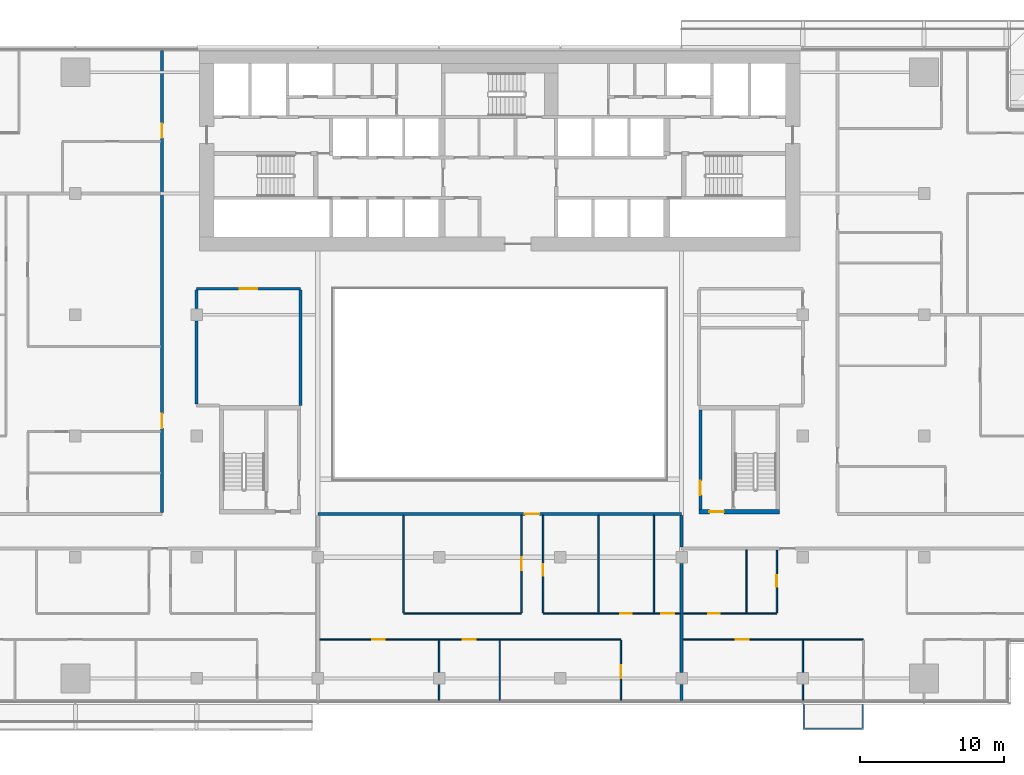
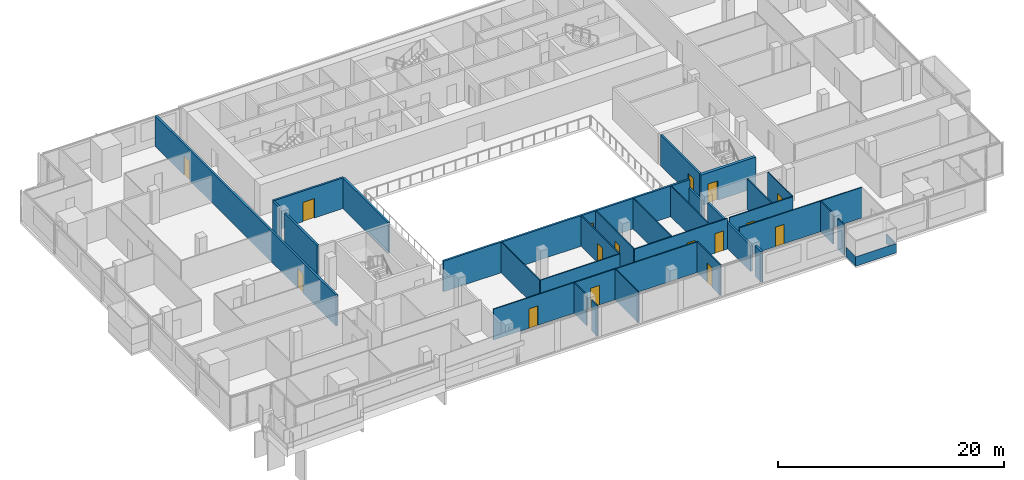
# One storey, part 18 of 29: 30 walls, 16 doors, 16 openings.
"""IFC4 building model written with IfcOpenShell, lengths in metres."""

import ifcopenshell
import ifcopenshell.guid

model = None  # the IFC model being written
_history = None  # IfcOwnerHistory: only IFC2X3 demands one
_inside = {}  # id of a spatial element -> (the spatial element, [elements in it])
_under = {}  # id of a project, library or spatial element -> (it, [spatial elements below it])
_declared = {}  # id of a project -> (the project, [libraries it declares])
_typed = {}  # id of a type object -> (the type object, [elements of that type])
_made_of = {}  # id of a material, layer set ... -> (it, [elements and type objects made of it])


def new_model(schema):
    """Start an empty IFC model of exactly this schema.

    Asked for "IFC4X3", IfcOpenShell would pick the latest addendum, in which some entities
    have other attributes; the version numbers below select the first issue.
    IFC2X3 requires an IfcOwnerHistory on every rooted entity: one is made here for all.
    """
    global model, _history
    if schema == "IFC4X3":
        model = ifcopenshell.file(schema_version=(4, 3, 0, 0))
    else:
        model = ifcopenshell.file(schema=schema)
    _inside.clear()
    _under.clear()
    _declared.clear()
    _typed.clear()
    _made_of.clear()
    _history = None
    if model.schema == "IFC2X3":
        org = make("IfcOrganization", Name="unknown")
        user = make(
            "IfcPersonAndOrganization",
            ThePerson=make("IfcPerson", FamilyName="unknown"),
            TheOrganization=org,
        )
        app = make(
            "IfcApplication",
            ApplicationDeveloper=org,
            Version="unknown",
            ApplicationFullName="unknown",
            ApplicationIdentifier="unknown",
        )
        _history = make(
            "IfcOwnerHistory",
            OwningUser=user,
            OwningApplication=app,
            ChangeAction="ADDED",
            CreationDate=0,
        )
    return model


def make(cls, **values):
    """One entity of the class cls with the attributes given. An attribute that is None is left unset."""
    return model.create_entity(
        cls, **{name: value for name, value in values.items() if value is not None}
    )


def rooted(cls, **values):
    """An entity with a GlobalId (a new one), such as an element, a storey or a relation."""
    return make(cls, GlobalId=ifcopenshell.guid.new(), OwnerHistory=_history, **values)


def si_unit(unit_type, name, prefix=None):
    """IfcSIUnit, for example si_unit("LENGTHUNIT", "METRE", prefix="MILLI")."""
    return make("IfcSIUnit", UnitType=unit_type, Prefix=prefix, Name=name)


def assignment(units):
    """IfcUnitAssignment: the units of a project."""
    return None if units is None else make("IfcUnitAssignment", Units=units)


def point(xyz):
    """IfcCartesianPoint."""
    return None if xyz is None else make("IfcCartesianPoint", Coordinates=xyz)


def direction(xyz):
    """IfcDirection."""
    return None if xyz is None else make("IfcDirection", DirectionRatios=xyz)


def frame(location, z_axis=None, x_axis=None):
    """IfcAxis2Placement3D, a coordinate frame: its origin and axes. An axis left out is left unset."""
    return make(
        "IfcAxis2Placement3D",
        Location=point(location),
        Axis=direction(z_axis),
        RefDirection=direction(x_axis),
    )


def frame_2d(location, x_axis=None):
    """IfcAxis2Placement2D, a coordinate frame in the plane: its origin and x axis."""
    return make(
        "IfcAxis2Placement2D", Location=point(location), RefDirection=direction(x_axis)
    )


def origin():
    """The frame at (0, 0, 0) with its axes left unset."""
    return frame((0.0, 0.0, 0.0))


def place(relative_to, where):
    """IfcLocalPlacement: puts the frame where relative to a parent placement (None: the world)."""
    return make(
        "IfcLocalPlacement", PlacementRelTo=relative_to, RelativePlacement=where
    )


def context(
    kind, dimensions, precision=None, world=None, true_north=None, identifier=None
):
    """IfcGeometricRepresentationContext, for example the 3D "Model" context."""
    return make(
        "IfcGeometricRepresentationContext",
        ContextIdentifier=identifier,
        ContextType=kind,
        CoordinateSpaceDimension=dimensions,
        Precision=precision,
        WorldCoordinateSystem=world,
        TrueNorth=true_north,
    )


def subcontext(parent, identifier, kind, view, scale=None):
    """IfcGeometricRepresentationSubContext, for example "Body" below "Model"."""
    return make(
        "IfcGeometricRepresentationSubContext",
        ContextIdentifier=identifier,
        ContextType=kind,
        ParentContext=parent,
        TargetScale=scale,
        TargetView=view,
    )


def project(units=None, contexts=None):
    """IfcProject with its units and contexts."""
    return rooted(
        "IfcProject",
        Name="project",
        RepresentationContexts=contexts,
        UnitsInContext=assignment(units),
    )


def spatial(cls, under=None, at=None, **own):
    """A site, building, storey or space (cls), placed at a placement, below another one or the project."""
    s = rooted(cls, ObjectPlacement=at, **own)
    if under is not None:
        _under.setdefault(under.id(), (under, []))[1].append(s)
    return s


def polyline(points):
    """IfcPolyline through the points."""
    return make("IfcPolyline", Points=[point(p) for p in points])


def profile(cls, at=None, kind="AREA", **sizes):
    """A parametric profile (cls). Its sizes go by their IFC names, for example OverallWidth=200.0."""
    return make(cls, ProfileType=kind, Position=at, **sizes)


def rectangle(**sizes):
    """IfcRectangleProfileDef."""
    return profile("IfcRectangleProfileDef", **sizes)


def outline(outer, holes=None, kind="AREA"):
    """IfcArbitraryClosedProfileDef: a profile drawn as a closed curve; with holes, ...WithVoids."""
    if holes is None:
        return make("IfcArbitraryClosedProfileDef", ProfileType=kind, OuterCurve=outer)
    return make(
        "IfcArbitraryProfileDefWithVoids",
        ProfileType=kind,
        OuterCurve=outer,
        InnerCurves=holes,
    )


def extrude(swept, where, along, depth):
    """IfcExtrudedAreaSolid: the profile swept, set in the frame where, extruded along a direction by depth."""
    return make(
        "IfcExtrudedAreaSolid",
        SweptArea=swept,
        Position=where,
        ExtrudedDirection=direction(along),
        Depth=depth,
    )


def shape(context_of_items, identifier, shape_type, items):
    """IfcShapeRepresentation: the items that make up one representation, for example the "Body"."""
    return make(
        "IfcShapeRepresentation",
        ContextOfItems=context_of_items,
        RepresentationIdentifier=identifier,
        RepresentationType=shape_type,
        Items=items,
    )


def material(Name=None, Category=None):
    """IfcMaterial."""
    return make("IfcMaterial", Name=Name, Category=Category)


def layer(
    of_material, thickness, ventilated=None, Name=None, Category=None, Priority=None
):
    """IfcMaterialLayer: one layer of a wall or slab, of a material (None: an air gap)."""
    return make(
        "IfcMaterialLayer",
        Material=of_material,
        LayerThickness=thickness,
        IsVentilated=ventilated,
        Name=Name,
        Category=Category,
        Priority=Priority,
    )


def layer_set(layers, Name=None):
    """IfcMaterialLayerSet."""
    return make("IfcMaterialLayerSet", MaterialLayers=layers, LayerSetName=Name)


def made_of(thing, what):
    """Note that an element or type object is made of a material, layer set ...; save() writes the relation."""
    if what is not None:
        _made_of.setdefault(what.id(), (what, []))[1].append(thing)
    return thing


def type_object(cls, material=None, **own):
    """A type object (cls), such as IfcWallType, which elements share."""
    return made_of(rooted(cls, **own), material)


def element(
    cls,
    number,
    at=None,
    inside=None,
    cuts=None,
    type_object=None,
    material=None,
    context=None,
    identifier="Body",
    shape_type=None,
    held_by="IfcProductDefinitionShape",
    body=None,
    shapes=None,
    **own,
):
    """One element of the class cls, such as IfcWall. Its Tag is "e" and its number.

    at: its placement. inside: the storey or other place that contains it. cuts: it is an
    opening in that element (IfcRelVoidsElement). A single representation is given by context,
    identifier, shape_type and body (its items); several are given by shapes. held_by: the class
    of the entity that holds the representations. save() writes the other relations.
    """
    e = rooted(cls, Tag="e%d" % number, ObjectPlacement=at, **own)
    if body is not None:
        shapes = [shape(context, identifier, shape_type, body)]
    if shapes is not None:
        e.Representation = make(held_by, Representations=shapes)
    if inside is not None:
        _inside.setdefault(inside.id(), (inside, []))[1].append(e)
    if cuts is not None:
        rooted(
            "IfcRelVoidsElement", RelatingBuildingElement=cuts, RelatedOpeningElement=e
        )
    if type_object is not None:
        _typed.setdefault(type_object.id(), (type_object, []))[1].append(e)
    return made_of(e, material)


def fill(opening, filler):
    """IfcRelFillsElement: the door or window that sits in an opening."""
    return rooted(
        "IfcRelFillsElement",
        RelatingOpeningElement=opening,
        RelatedBuildingElement=filler,
    )


def aggregate(whole, parts):
    """IfcRelAggregates: a whole, such as a stair, and the parts it consists of."""
    return rooted("IfcRelAggregates", RelatingObject=whole, RelatedObjects=parts)


def save(model, path):
    """Write the relations noted so far, then the file.

    IfcRelAggregates (storeys below a building ...), IfcRelContainedInSpatialStructure (elements
    in a storey), IfcRelDefinesByType, IfcRelAssociatesMaterial and IfcRelDeclares: one each for
    every whole, place, type object, material and project.
    """
    for whole, parts in _under.values():
        aggregate(whole, parts)
    for where, things in _inside.values():
        rooted(
            "IfcRelContainedInSpatialStructure",
            RelatedElements=things,
            RelatingStructure=where,
        )
    for kind, things in _typed.values():
        rooted("IfcRelDefinesByType", RelatedObjects=things, RelatingType=kind)
    for what, things in _made_of.values():
        rooted("IfcRelAssociatesMaterial", RelatedObjects=things, RelatingMaterial=what)
    for by, libraries in _declared.values():
        rooted("IfcRelDeclares", RelatingContext=by, RelatedDefinitions=libraries)
    model.write(path)


model = new_model("IFC4")

# Units and contexts
model_context = context("Model", 3, precision=1e-05, world=origin(), true_north=direction((0.0, 1.0)))
body_context = subcontext(model_context, "Body", "Model", "MODEL_VIEW")
ifc_project = project(units=[si_unit("LENGTHUNIT", "METRE"), si_unit("AREAUNIT", "SQUARE_METRE"), si_unit("VOLUMEUNIT", "CUBIC_METRE"), si_unit("PLANEANGLEUNIT", "RADIAN"), si_unit("MASSUNIT", "GRAM", prefix="KILO")], contexts=[model_context])

# Site, building, storey
site_placement = place(None, origin())
site = spatial("IfcSite", under=ifc_project, at=site_placement, CompositionType="ELEMENT")
building_placement = place(site_placement, origin())
building = spatial("IfcBuilding", under=site, at=building_placement, Name="Saffron Gate Tower", CompositionType="ELEMENT")
storey_placement = place(building_placement, frame((0.0, 0.0, 116.85009765625)))
storey = spatial("IfcBuildingStorey", under=building, at=storey_placement, Name="L27", CompositionType="ELEMENT", Elevation=116.85009765625)

# Wall, opening, door
ifc_material_1 = material(Name="Gypsum board partition on steel studs", Category="steel")
ifc_layer_1 = layer(ifc_material_1, 0.199951171875)
ifc_layer_set_1 = layer_set([ifc_layer_1], Name="CW10 Core partition 200")
wall_type_1 = type_object("IfcWallType", Name="CW10 Core partition 200", PredefinedType="PARTITIONING", material=ifc_layer_set_1)
wall_1_placement = place(storey_placement, frame((101.5, 43.5, 0.0), z_axis=(0.0, 0.0, 1.0), x_axis=(0.0, 1.0, 0.0)))
wall_1 = element("IfcWall", 1, at=wall_1_placement, inside=storey, type_object=wall_type_1, Name="Wall CW10-L27-E-2", PredefinedType="PARTITIONING", context=body_context, shape_type="SweptSolid", body=[
    extrude(rectangle(XDim=6.89990234375, YDim=0.199951171875, at=frame_2d((3.449951171875, 0.0))), origin(), (0.0, 0.0, 1.0), 3.31982421875),
])
opening_1_placement = place(wall_1_placement, frame((1.0, 0.0, 0.0)))
opening_1 = element("IfcOpeningElement", 2, at=opening_1_placement, cuts=wall_1, Name="Opening CR-22", PredefinedType="OPENING", context=body_context, shape_type="SweptSolid", body=[
    extrude(rectangle(XDim=1.0, YDim=2.10009765625, at=frame_2d((0.5, 1.050048828125))), frame((0.0, 0.10986328125, 0.0), z_axis=(0.0, -1.0, 0.0), x_axis=(1.0, 0.0, 0.0)), (0.0, 0.0, 1.0), 0.219970703125),
])
ifc_material_2 = material(Name="Steel fire door set", Category="steel")
door_type_1 = type_object("IfcDoorType", Name="CD4 Lobby door 1000x2100 EI 120", OperationType="NOTDEFINED", PredefinedType="DOOR", material=ifc_material_2)
door_1_placement = place(opening_1_placement, origin())
door_1 = element("IfcDoor", 3, at=door_1_placement, inside=storey, type_object=door_type_1, Name="DOOR CR-22", OperationType="SINGLE_SWING_LEFT", OverallHeight=2.10009765625, OverallWidth=1.0, PredefinedType="DOOR", context=body_context, shape_type="SweptSolid", body=[
    extrude(rectangle(XDim=1.0, YDim=2.10009765625, at=frame_2d((0.5, 1.050048828125))), frame((0.0, 0.02490234375, 0.0), z_axis=(0.0, -1.0, 0.0), x_axis=(1.0, 0.0, 0.0)), (0.0, 0.0, 1.0), 0.050048828125),
])
fill(opening_1, door_1)

ifc_material_3 = material(Name="Concrete C70", Category="concrete")
ifc_layer_2 = layer(ifc_material_3, 0.300048828125)
ifc_layer_set_2 = layer_set([ifc_layer_2], Name="CW5 RC core wall 300 C70")
wall_type_2 = type_object("IfcWallType", Name="CW5 RC core wall 300 C70", PredefinedType="SOLIDWALL", material=ifc_layer_set_2)
wall_2_placement = place(storey_placement, frame((101.39990234375, 43.35009765625, 0.0), z_axis=(0.0, 0.0, 1.0), x_axis=(1.0, 0.0, 0.0)))
wall_2 = element("IfcWall", 4, at=wall_2_placement, inside=storey, type_object=wall_type_2, Name="Wall CW5-L27-E-1", PredefinedType="SOLIDWALL", context=body_context, shape_type="SweptSolid", body=[
    extrude(rectangle(XDim=5.60009765625, YDim=0.300048828125, at=frame_2d((2.800048828125, 0.0))), origin(), (0.0, 0.0, 1.0), 3.31982421875),
])
opening_2_placement = place(wall_2_placement, frame((0.72509765625, 0.0, 0.0)))
opening_2 = element("IfcOpeningElement", 5, at=opening_2_placement, cuts=wall_2, Name="Opening CR-21", PredefinedType="OPENING", context=body_context, shape_type="SweptSolid", body=[
    extrude(rectangle(XDim=1.0, YDim=2.10009765625, at=frame_2d((0.5, 1.050048828125))), frame((0.0, 0.16015625, 0.0), z_axis=(0.0, -1.0, 0.0), x_axis=(1.0, 0.0, 0.0)), (0.0, 0.0, 1.0), 0.320068359375),
])
door_2_placement = place(opening_2_placement, origin())
door_2 = element("IfcDoor", 6, at=door_2_placement, inside=storey, type_object=door_type_1, Name="DOOR CR-21", OperationType="SINGLE_SWING_RIGHT", OverallHeight=2.10009765625, OverallWidth=1.0, PredefinedType="DOOR", context=body_context, shape_type="SweptSolid", body=[
    extrude(rectangle(XDim=1.0, YDim=2.10009765625, at=frame_2d((0.5, 1.050048828125))), frame((0.0, 0.02490234375, 0.0), z_axis=(0.0, -1.0, 0.0), x_axis=(1.0, 0.0, 0.0)), (0.0, 0.0, 1.0), 0.050048828125),
])
fill(opening_2, door_2)

# Wall, openings, doors
ifc_material_4 = material(Name="Plasterboard on steel studs", Category="steel")
ifc_layer_3 = layer(ifc_material_4, 0.10009765625)
ifc_layer_set_3 = layer_set([ifc_layer_3], Name="PW1 Partition 100")
wall_type_3 = type_object("IfcWallType", Name="PW1 Partition 100", PredefinedType="PARTITIONING", material=ifc_layer_set_3)
wall_3_placement = place(storey_placement, frame((96.0, 34.5, 0.0), z_axis=(0.0, 0.0, 1.0), x_axis=(-1.0, 0.0, 0.0)))
wall_3 = element("IfcWall", 7, at=wall_3_placement, inside=storey, type_object=wall_type_3, Name="Partition B3-2", PredefinedType="PARTITIONING", context=body_context, shape_type="SweptSolid", body=[
    extrude(rectangle(XDim=20.89990234375, YDim=0.10009765625, at=frame_2d((10.449951171875, 0.0))), origin(), (0.0, 0.0, 1.0), 3.31982421875),
])
opening_3_placement = place(wall_3_placement, frame((10.050048828125, 0.0, 0.0)))
opening_3 = element("IfcOpeningElement", 8, at=opening_3_placement, cuts=wall_3, Name="Opening B3-13", PredefinedType="OPENING", context=body_context, shape_type="SweptSolid", body=[
    extrude(rectangle(XDim=0.89990234375, YDim=2.10009765625, at=frame_2d((0.449951171875, 1.050048828125))), frame((0.0, 0.06005859375, 0.0), z_axis=(0.0, -1.0, 0.0), x_axis=(1.0, 0.0, 0.0)), (0.0, 0.0, 1.0), 0.1201171875),
])
opening_4_placement = place(wall_3_placement, frame((16.35009765625, 0.0, 0.0)))
opening_4 = element("IfcOpeningElement", 9, at=opening_4_placement, cuts=wall_3, Name="Opening B3-12", PredefinedType="OPENING", context=body_context, shape_type="SweptSolid", body=[
    extrude(rectangle(XDim=0.89990234375, YDim=2.10009765625, at=frame_2d((0.449951171875, 1.050048828125))), frame((0.0, 0.06005859375, 0.0), z_axis=(0.0, -1.0, 0.0), x_axis=(1.0, 0.0, 0.0)), (0.0, 0.0, 1.0), 0.1201171875),
])
ifc_material_5 = material(Name="Timber door set", Category="wood")
door_type_2 = type_object("IfcDoorType", Name="RD1 Room door 900x2100", OperationType="NOTDEFINED", PredefinedType="DOOR", material=ifc_material_5)
door_3_placement = place(opening_3_placement, origin())
door_3 = element("IfcDoor", 10, at=door_3_placement, inside=storey, type_object=door_type_2, Name="Door B3-13", OperationType="SINGLE_SWING_RIGHT", OverallHeight=2.10009765625, OverallWidth=0.89990234375, PredefinedType="DOOR", context=body_context, shape_type="SweptSolid", body=[
    extrude(rectangle(XDim=0.89990234375, YDim=2.10009765625, at=frame_2d((0.449951171875, 1.050048828125))), frame((0.0, 0.02490234375, 0.0), z_axis=(0.0, -1.0, 0.0), x_axis=(1.0, 0.0, 0.0)), (0.0, 0.0, 1.0), 0.050048828125),
])
fill(opening_3, door_3)
door_4_placement = place(opening_4_placement, origin())
door_4 = element("IfcDoor", 11, at=door_4_placement, inside=storey, type_object=door_type_2, Name="Door B3-12", OperationType="SINGLE_SWING_RIGHT", OverallHeight=2.10009765625, OverallWidth=0.89990234375, PredefinedType="DOOR", context=body_context, shape_type="SweptSolid", body=[
    extrude(rectangle(XDim=0.89990234375, YDim=2.10009765625, at=frame_2d((0.449951171875, 1.050048828125))), frame((0.0, 0.02490234375, 0.0), z_axis=(0.0, -1.0, 0.0), x_axis=(1.0, 0.0, 0.0)), (0.0, 0.0, 1.0), 0.050048828125),
])
fill(opening_4, door_4)

# Wall, opening, door
wall_4_placement = place(storey_placement, frame((112.800048828125, 34.5, 0.0), z_axis=(0.0, 0.0, 1.0), x_axis=(-1.0, 0.0, 0.0)))
wall_4 = element("IfcWall", 12, at=wall_4_placement, inside=storey, type_object=wall_type_3, Name="Partition B3-3", PredefinedType="PARTITIONING", context=body_context, shape_type="SweptSolid", body=[
    extrude(rectangle(XDim=12.5, YDim=0.10009765625, at=frame_2d((6.25, 0.0))), origin(), (0.0, 0.0, 1.0), 3.31982421875),
])
opening_5_placement = place(wall_4_placement, frame((7.949951171875, 0.0, 0.0)))
opening_5 = element("IfcOpeningElement", 13, at=opening_5_placement, cuts=wall_4, Name="Opening B3-17", PredefinedType="OPENING", context=body_context, shape_type="SweptSolid", body=[
    extrude(rectangle(XDim=0.89990234375, YDim=2.10009765625, at=frame_2d((0.449951171875, 1.050048828125))), frame((0.0, 0.06005859375, 0.0), z_axis=(0.0, -1.0, 0.0), x_axis=(1.0, 0.0, 0.0)), (0.0, 0.0, 1.0), 0.1201171875),
])
door_5_placement = place(opening_5_placement, origin())
door_5 = element("IfcDoor", 14, at=door_5_placement, inside=storey, type_object=door_type_2, Name="Door B3-17", OperationType="SINGLE_SWING_RIGHT", OverallHeight=2.10009765625, OverallWidth=0.89990234375, PredefinedType="DOOR", context=body_context, shape_type="SweptSolid", body=[
    extrude(rectangle(XDim=0.89990234375, YDim=2.10009765625, at=frame_2d((0.449951171875, 1.050048828125))), frame((0.0, 0.02490234375, 0.0), z_axis=(0.0, -1.0, 0.0), x_axis=(1.0, 0.0, 0.0)), (0.0, 0.0, 1.0), 0.050048828125),
])
fill(opening_5, door_5)

# Walls
wall_5_placement = place(storey_placement, frame((80.94189453125, 36.300048828125, 0.0), z_axis=(0.0, 0.0, 1.0), x_axis=(1.0, 0.0, 0.0)))
element("IfcWall", 15, at=wall_5_placement, inside=storey, type_object=wall_type_3, Name="Partition B3-7", PredefinedType="PARTITIONING", context=body_context, shape_type="SweptSolid", body=[
    extrude(rectangle(XDim=8.158203125, YDim=0.10009765625, at=frame_2d((4.0791015625, 0.0))), origin(), (0.0, 0.0, 1.0), 3.31982421875),
])
wall_6_placement = place(storey_placement, frame((80.94189453125, 43.10009765625, 0.0), z_axis=(0.0, 0.0, 1.0), x_axis=(0.0, -1.0, 0.0)))
element("IfcWall", 16, at=wall_6_placement, inside=storey, type_object=wall_type_3, Name="Partition B3-66", PredefinedType="PARTITIONING", context=body_context, shape_type="SweptSolid", body=[
    extrude(rectangle(XDim=6.75, YDim=0.10009765625, at=frame_2d((3.375, 0.0))), origin(), (0.0, 0.0, 1.0), 3.31982421875),
])
wall_7_placement = place(storey_placement, frame((83.39990234375, 31.3798828125, 0.0), z_axis=(0.0, 0.0, 1.0), x_axis=(0.0, -1.0, 0.0)))
element("IfcWall", 17, at=wall_7_placement, inside=storey, type_object=wall_type_3, Name="Partition B3-67", PredefinedType="PARTITIONING", context=body_context, shape_type="SweptSolid", body=[
    extrude(rectangle(XDim=1.099853515625, YDim=0.10009765625, at=frame_2d((0.5498046875, 0.0))), origin(), (0.0, 0.0, 1.0), 3.31982421875),
])
wall_8_placement = place(storey_placement, frame((83.39990234375, 34.449951171875, 0.0), z_axis=(0.0, 0.0, 1.0), x_axis=(0.0, -1.0, 0.0)))
element("IfcWall", 18, at=wall_8_placement, inside=storey, type_object=wall_type_3, Name="Partition B3-68", PredefinedType="PARTITIONING", context=body_context, shape_type="SweptSolid", body=[
    extrude(rectangle(XDim=2.22998046875, YDim=0.10009765625, at=frame_2d((1.114990234375, 0.0))), origin(), (0.0, 0.0, 1.0), 3.31982421875),
])
wall_9_placement = place(storey_placement, frame((87.60009765625, 34.449951171875, 0.0), z_axis=(0.0, 0.0, 1.0), x_axis=(0.0, -1.0, 0.0)))
element("IfcWall", 19, at=wall_9_placement, inside=storey, type_object=wall_type_3, Name="Partition B3-69", PredefinedType="PARTITIONING", context=body_context, shape_type="SweptSolid", body=[
    extrude(rectangle(XDim=4.169921875, YDim=0.10009765625, at=frame_2d((2.0849609375, 0.0))), origin(), (0.0, 0.0, 1.0), 3.31982421875),
])

# Wall, opening, door
wall_10_placement = place(storey_placement, frame((89.10009765625, 36.35009765625, 0.0), z_axis=(0.0, 0.0, 1.0), x_axis=(0.0, 1.0, 0.0)))
wall_10 = element("IfcWall", 20, at=wall_10_placement, inside=storey, type_object=wall_type_3, Name="Partition B3-70", PredefinedType="PARTITIONING", context=body_context, shape_type="SweptSolid", body=[
    extrude(rectangle(XDim=6.75, YDim=0.10009765625, at=frame_2d((3.375, 0.0))), origin(), (0.0, 0.0, 1.0), 3.31982421875),
])
opening_6_placement = place(wall_10_placement, frame((2.949951171875, 0.0, 0.0)))
opening_6 = element("IfcOpeningElement", 21, at=opening_6_placement, cuts=wall_10, Name="Opening B3-15", PredefinedType="OPENING", context=body_context, shape_type="SweptSolid", body=[
    extrude(rectangle(XDim=0.89990234375, YDim=2.10009765625, at=frame_2d((0.449951171875, 1.050048828125))), frame((0.0, 0.06005859375, 0.0), z_axis=(0.0, -1.0, 0.0), x_axis=(1.0, 0.0, 0.0)), (0.0, 0.0, 1.0), 0.1201171875),
])
door_6_placement = place(opening_6_placement, origin())
door_6 = element("IfcDoor", 22, at=door_6_placement, inside=storey, type_object=door_type_2, Name="Door B3-15", OperationType="SINGLE_SWING_RIGHT", OverallHeight=2.10009765625, OverallWidth=0.89990234375, PredefinedType="DOOR", context=body_context, shape_type="SweptSolid", body=[
    extrude(rectangle(XDim=0.89990234375, YDim=2.10009765625, at=frame_2d((0.449951171875, 1.050048828125))), frame((0.0, 0.02490234375, 0.0), z_axis=(0.0, -1.0, 0.0), x_axis=(1.0, 0.0, 0.0)), (0.0, 0.0, 1.0), 0.050048828125),
])
fill(opening_6, door_6)

wall_11_placement = place(storey_placement, frame((90.60009765625, 43.10009765625, 0.0), z_axis=(0.0, 0.0, 1.0), x_axis=(0.0, -1.0, 0.0)))
wall_11 = element("IfcWall", 23, at=wall_11_placement, inside=storey, type_object=wall_type_3, Name="Partition B3-71", PredefinedType="PARTITIONING", context=body_context, shape_type="SweptSolid", body=[
    extrude(rectangle(XDim=6.75, YDim=0.10009765625, at=frame_2d((3.375, 0.0))), origin(), (0.0, 0.0, 1.0), 3.31982421875),
])
opening_7_placement = place(wall_11_placement, frame((3.39990234375, 0.0, 0.0)))
opening_7 = element("IfcOpeningElement", 24, at=opening_7_placement, cuts=wall_11, Name="Opening B3-34", PredefinedType="OPENING", context=body_context, shape_type="SweptSolid", body=[
    extrude(rectangle(XDim=0.800048828125, YDim=2.10009765625, at=frame_2d((0.39990234375, 1.050048828125))), frame((0.0, 0.06005859375, 0.0), z_axis=(0.0, -1.0, 0.0), x_axis=(1.0, 0.0, 0.0)), (0.0, 0.0, 1.0), 0.1201171875),
])
door_type_3 = type_object("IfcDoorType", Name="RD2 Bathroom door 800x2100", OperationType="NOTDEFINED", PredefinedType="DOOR", material=ifc_material_5)
door_7_placement = place(opening_7_placement, origin())
door_7 = element("IfcDoor", 25, at=door_7_placement, inside=storey, type_object=door_type_3, Name="Door B3-34", OperationType="SINGLE_SWING_RIGHT", OverallHeight=2.10009765625, OverallWidth=0.800048828125, PredefinedType="DOOR", context=body_context, shape_type="SweptSolid", body=[
    extrude(rectangle(XDim=0.800048828125, YDim=2.10009765625, at=frame_2d((0.39990234375, 1.050048828125))), frame((0.0, 0.02490234375, 0.0), z_axis=(0.0, -1.0, 0.0), x_axis=(1.0, 0.0, 0.0)), (0.0, 0.0, 1.0), 0.050048828125),
])
fill(opening_7, door_7)

# Wall
wall_12_placement = place(storey_placement, frame((94.440673828125, 43.10009765625, 0.0), z_axis=(0.0, 0.0, 1.0), x_axis=(0.0, -1.0, 0.0)))
element("IfcWall", 26, at=wall_12_placement, inside=storey, type_object=wall_type_3, Name="Partition B3-72", PredefinedType="PARTITIONING", context=body_context, shape_type="SweptSolid", body=[
    extrude(rectangle(XDim=6.75, YDim=0.10009765625, at=frame_2d((3.375, 0.0))), origin(), (0.0, 0.0, 1.0), 3.31982421875),
])

# Wall, opening, door
wall_13_placement = place(storey_placement, frame((96.0, 30.280029296875, 0.0), z_axis=(0.0, 0.0, 1.0), x_axis=(0.0, 1.0, 0.0)))
wall_13 = element("IfcWall", 27, at=wall_13_placement, inside=storey, type_object=wall_type_3, Name="Partition B3-73", PredefinedType="PARTITIONING", context=body_context, shape_type="SweptSolid", body=[
    extrude(rectangle(XDim=4.169921875, YDim=0.10009765625, at=frame_2d((2.0849609375, 0.0))), origin(), (0.0, 0.0, 1.0), 3.31982421875),
])
opening_8_placement = place(wall_13_placement, frame((1.52001953125, 0.0, 0.0)))
opening_8 = element("IfcOpeningElement", 28, at=opening_8_placement, cuts=wall_13, Name="Opening B3-14", PredefinedType="OPENING", context=body_context, shape_type="SweptSolid", body=[
    extrude(rectangle(XDim=0.89990234375, YDim=2.10009765625, at=frame_2d((0.449951171875, 1.050048828125))), frame((0.0, 0.06005859375, 0.0), z_axis=(0.0, -1.0, 0.0), x_axis=(1.0, 0.0, 0.0)), (0.0, 0.0, 1.0), 0.1201171875),
])
door_8_placement = place(opening_8_placement, origin())
door_8 = element("IfcDoor", 29, at=door_8_placement, inside=storey, type_object=door_type_2, Name="Door B3-14", OperationType="SINGLE_SWING_LEFT", OverallHeight=2.10009765625, OverallWidth=0.89990234375, PredefinedType="DOOR", context=body_context, shape_type="SweptSolid", body=[
    extrude(rectangle(XDim=0.89990234375, YDim=2.10009765625, at=frame_2d((0.449951171875, 1.050048828125))), frame((0.0, 0.02490234375, 0.0), z_axis=(0.0, -1.0, 0.0), x_axis=(1.0, 0.0, 0.0)), (0.0, 0.0, 1.0), 0.050048828125),
])
fill(opening_8, door_8)

# Walls
wall_14_placement = place(storey_placement, frame((98.28125, 43.10009765625, 0.0), z_axis=(0.0, 0.0, 1.0), x_axis=(0.0, -1.0, 0.0)))
element("IfcWall", 30, at=wall_14_placement, inside=storey, type_object=wall_type_3, Name="Partition B3-74", PredefinedType="PARTITIONING", context=body_context, shape_type="SweptSolid", body=[
    extrude(rectangle(XDim=6.75, YDim=0.10009765625, at=frame_2d((3.375, 0.0))), origin(), (0.0, 0.0, 1.0), 3.31982421875),
])
wall_15_placement = place(storey_placement, frame((104.699951171875, 40.699951171875, 0.0), z_axis=(0.0, 0.0, 1.0), x_axis=(0.0, -1.0, 0.0)))
element("IfcWall", 31, at=wall_15_placement, inside=storey, type_object=wall_type_3, Name="Partition B3-79", PredefinedType="PARTITIONING", context=body_context, shape_type="SweptSolid", body=[
    extrude(rectangle(XDim=4.349853515625, YDim=0.10009765625, at=frame_2d((2.1748046875, 0.0))), origin(), (0.0, 0.0, 1.0), 3.31982421875),
])

# Wall, opening, door
wall_16_placement = place(storey_placement, frame((106.800048828125, 36.35009765625, 0.0), z_axis=(0.0, 0.0, 1.0), x_axis=(0.0, 1.0, 0.0)))
wall_16 = element("IfcWall", 32, at=wall_16_placement, inside=storey, type_object=wall_type_3, Name="Partition B3-80", PredefinedType="PARTITIONING", context=body_context, shape_type="SweptSolid", body=[
    extrude(rectangle(XDim=4.349853515625, YDim=0.10009765625, at=frame_2d((2.1748046875, 0.0))), origin(), (0.0, 0.0, 1.0), 3.31982421875),
])
opening_9_placement = place(wall_16_placement, frame((1.800048828125, 0.0, 0.0)))
opening_9 = element("IfcOpeningElement", 33, at=opening_9_placement, cuts=wall_16, Name="Opening B3-37", PredefinedType="OPENING", context=body_context, shape_type="SweptSolid", body=[
    extrude(rectangle(XDim=0.800048828125, YDim=2.10009765625, at=frame_2d((0.39990234375, 1.050048828125))), frame((0.0, 0.06005859375, 0.0), z_axis=(0.0, -1.0, 0.0), x_axis=(1.0, 0.0, 0.0)), (0.0, 0.0, 1.0), 0.1201171875),
])
door_9_placement = place(opening_9_placement, origin())
door_9 = element("IfcDoor", 34, at=door_9_placement, inside=storey, type_object=door_type_3, Name="Door B3-37", OperationType="SINGLE_SWING_RIGHT", OverallHeight=2.10009765625, OverallWidth=0.800048828125, PredefinedType="DOOR", context=body_context, shape_type="SweptSolid", body=[
    extrude(rectangle(XDim=0.800048828125, YDim=2.10009765625, at=frame_2d((0.39990234375, 1.050048828125))), frame((0.0, 0.02490234375, 0.0), z_axis=(0.0, -1.0, 0.0), x_axis=(1.0, 0.0, 0.0)), (0.0, 0.0, 1.0), 0.050048828125),
])
fill(opening_9, door_9)

# Walls
wall_17_placement = place(storey_placement, frame((108.60009765625, 31.3798828125, 0.0), z_axis=(0.0, 0.0, 1.0), x_axis=(0.0, -1.0, 0.0)))
element("IfcWall", 35, at=wall_17_placement, inside=storey, type_object=wall_type_3, Name="Partition B3-83", PredefinedType="PARTITIONING", context=body_context, shape_type="SweptSolid", body=[
    extrude(rectangle(XDim=1.099853515625, YDim=0.10009765625, at=frame_2d((0.5498046875, 0.0))), origin(), (0.0, 0.0, 1.0), 3.31982421875),
])
wall_18_placement = place(storey_placement, frame((108.60009765625, 34.449951171875, 0.0), z_axis=(0.0, 0.0, 1.0), x_axis=(0.0, -1.0, 0.0)))
element("IfcWall", 36, at=wall_18_placement, inside=storey, type_object=wall_type_3, Name="Partition B3-84", PredefinedType="PARTITIONING", context=body_context, shape_type="SweptSolid", body=[
    extrude(rectangle(XDim=2.22998046875, YDim=0.10009765625, at=frame_2d((1.114990234375, 0.0))), origin(), (0.0, 0.0, 1.0), 3.31982421875),
])

# Wall, openings, doors
wall_19_placement = place(storey_placement, frame((90.60009765625, 36.300048828125, 0.0), z_axis=(0.0, 0.0, 1.0), x_axis=(1.0, 0.0, 0.0)))
wall_19 = element("IfcWall", 37, at=wall_19_placement, inside=storey, type_object=wall_type_3, Name="Partition B3-98", PredefinedType="PARTITIONING", context=body_context, shape_type="SweptSolid", body=[
    extrude(rectangle(XDim=9.5, YDim=0.10009765625, at=frame_2d((4.75, 0.0))), origin(), (0.0, 0.0, 1.0), 3.31982421875),
])
opening_10_placement = place(wall_19_placement, frame((5.36083984375, 0.0, 0.0)))
opening_10 = element("IfcOpeningElement", 38, at=opening_10_placement, cuts=wall_19, Name="Opening B3-35", PredefinedType="OPENING", context=body_context, shape_type="SweptSolid", body=[
    extrude(rectangle(XDim=0.800048828125, YDim=2.10009765625, at=frame_2d((0.39990234375, 1.050048828125))), frame((0.0, 0.06005859375, 0.0), z_axis=(0.0, -1.0, 0.0), x_axis=(1.0, 0.0, 0.0)), (0.0, 0.0, 1.0), 0.1201171875),
])
opening_11_placement = place(wall_19_placement, frame((8.190673828125, 0.0, 0.0)))
opening_11 = element("IfcOpeningElement", 39, at=opening_11_placement, cuts=wall_19, Name="Opening B3-16", PredefinedType="OPENING", context=body_context, shape_type="SweptSolid", body=[
    extrude(rectangle(XDim=0.89990234375, YDim=2.10009765625, at=frame_2d((0.449951171875, 1.050048828125))), frame((0.0, 0.06005859375, 0.0), z_axis=(0.0, -1.0, 0.0), x_axis=(1.0, 0.0, 0.0)), (0.0, 0.0, 1.0), 0.1201171875),
])
door_10_placement = place(opening_11_placement, origin())
door_10 = element("IfcDoor", 40, at=door_10_placement, inside=storey, type_object=door_type_2, Name="Door B3-16", OperationType="SINGLE_SWING_RIGHT", OverallHeight=2.10009765625, OverallWidth=0.89990234375, PredefinedType="DOOR", context=body_context, shape_type="SweptSolid", body=[
    extrude(rectangle(XDim=0.89990234375, YDim=2.10009765625, at=frame_2d((0.449951171875, 1.050048828125))), frame((0.0, 0.02490234375, 0.0), z_axis=(0.0, -1.0, 0.0), x_axis=(1.0, 0.0, 0.0)), (0.0, 0.0, 1.0), 0.050048828125),
])
fill(opening_11, door_10)
door_11_placement = place(opening_10_placement, origin())
door_11 = element("IfcDoor", 41, at=door_11_placement, inside=storey, type_object=door_type_3, Name="Door B3-35", OperationType="SINGLE_SWING_LEFT", OverallHeight=2.10009765625, OverallWidth=0.800048828125, PredefinedType="DOOR", context=body_context, shape_type="SweptSolid", body=[
    extrude(rectangle(XDim=0.800048828125, YDim=2.10009765625, at=frame_2d((0.39990234375, 1.050048828125))), frame((0.0, 0.02490234375, 0.0), z_axis=(0.0, -1.0, 0.0), x_axis=(1.0, 0.0, 0.0)), (0.0, 0.0, 1.0), 0.050048828125),
])
fill(opening_10, door_11)

# Wall, opening, door
wall_20_placement = place(storey_placement, frame((100.300048828125, 36.300048828125, 0.0), z_axis=(0.0, 0.0, 1.0), x_axis=(1.0, 0.0, 0.0)))
wall_20 = element("IfcWall", 42, at=wall_20_placement, inside=storey, type_object=wall_type_3, Name="Partition B3-99", PredefinedType="PARTITIONING", context=body_context, shape_type="SweptSolid", body=[
    extrude(rectangle(XDim=6.5, YDim=0.10009765625, at=frame_2d((3.25, 0.0))), origin(), (0.0, 0.0, 1.0), 3.31982421875),
])
opening_12_placement = place(wall_20_placement, frame((1.75, 0.0, 0.0)))
opening_12 = element("IfcOpeningElement", 43, at=opening_12_placement, cuts=wall_20, Name="Opening B3-36", PredefinedType="OPENING", context=body_context, shape_type="SweptSolid", body=[
    extrude(rectangle(XDim=0.800048828125, YDim=2.10009765625, at=frame_2d((0.39990234375, 1.050048828125))), frame((0.0, 0.06005859375, 0.0), z_axis=(0.0, -1.0, 0.0), x_axis=(1.0, 0.0, 0.0)), (0.0, 0.0, 1.0), 0.1201171875),
])
door_12_placement = place(opening_12_placement, origin())
door_12 = element("IfcDoor", 44, at=door_12_placement, inside=storey, type_object=door_type_3, Name="Door B3-36", OperationType="SINGLE_SWING_LEFT", OverallHeight=2.10009765625, OverallWidth=0.800048828125, PredefinedType="DOOR", context=body_context, shape_type="SweptSolid", body=[
    extrude(rectangle(XDim=0.800048828125, YDim=2.10009765625, at=frame_2d((0.39990234375, 1.050048828125))), frame((0.0, 0.02490234375, 0.0), z_axis=(0.0, -1.0, 0.0), x_axis=(1.0, 0.0, 0.0)), (0.0, 0.0, 1.0), 0.050048828125),
])
fill(opening_12, door_12)

# Walls
ifc_material_6 = material(Name="Clay brick masonry, rendered", Category="masonry")
ifc_layer_4 = layer(ifc_material_6, 0.199951171875)
ifc_layer_set_4 = layer_set([ifc_layer_4], Name="PW2 Demising wall 200")
wall_type_4 = type_object("IfcWallType", Name="PW2 Demising wall 200", PredefinedType="PARTITIONING", material=ifc_layer_set_4)
wall_21_placement = place(storey_placement, frame((100.199951171875, 31.3798828125, 0.0), z_axis=(0.0, 0.0, 1.0), x_axis=(0.0, -1.0, 0.0)))
element("IfcWall", 45, at=wall_21_placement, inside=storey, type_object=wall_type_4, Name="Wall B3-76", PredefinedType="PARTITIONING", context=body_context, shape_type="SweptSolid", body=[
    extrude(rectangle(XDim=1.099853515625, YDim=0.199951171875, at=frame_2d((0.5498046875, 0.0))), origin(), (0.0, 0.0, 1.0), 3.31982421875),
])
wall_22_placement = place(storey_placement, frame((100.199951171875, 39.780029296875, 0.0), z_axis=(0.0, 0.0, 1.0), x_axis=(0.0, -1.0, 0.0)))
element("IfcWall", 46, at=wall_22_placement, inside=storey, type_object=wall_type_4, Name="Wall B3-77", PredefinedType="PARTITIONING", context=body_context, shape_type="SweptSolid", body=[
    extrude(rectangle(XDim=7.56005859375, YDim=0.199951171875, at=frame_2d((3.780029296875, 0.0))), origin(), (0.0, 0.0, 1.0), 2.829833984375),
])

# Wall, opening, door
ifc_layer_5 = layer(ifc_material_6, 0.199951171875)
ifc_layer_set_5 = layer_set([ifc_layer_5], Name="PW3 Corridor wall 200")
wall_type_5 = type_object("IfcWallType", Name="PW3 Corridor wall 200", PredefinedType="PARTITIONING", material=ifc_layer_set_5)
wall_23_placement = place(storey_placement, frame((100.199951171875, 43.199951171875, 0.0), z_axis=(0.0, 0.0, 1.0), x_axis=(-1.0, 0.0, 0.0)))
wall_23 = element("IfcWall", 47, at=wall_23_placement, inside=storey, type_object=wall_type_5, Name="Wall B3-14", PredefinedType="PARTITIONING", context=body_context, shape_type="SweptSolid", body=[
    extrude(rectangle(XDim=25.199951171875, YDim=0.199951171875, at=frame_2d((12.60009765625, 0.0))), origin(), (0.0, 0.0, 1.0), 3.31982421875),
])
opening_13_placement = place(wall_23_placement, frame((9.85009765625, 0.0, 0.0)))
opening_13 = element("IfcOpeningElement", 48, at=opening_13_placement, cuts=wall_23, Name="Opening B3-2", PredefinedType="OPENING", context=body_context, shape_type="SweptSolid", body=[
    extrude(rectangle(XDim=1.0, YDim=2.10009765625, at=frame_2d((0.5, 1.050048828125))), frame((0.0, 0.10986328125, 0.0), z_axis=(0.0, -1.0, 0.0), x_axis=(1.0, 0.0, 0.0)), (0.0, 0.0, 1.0), 0.219970703125),
])
ifc_material_7 = material(Name="Timber fire door set", Category="wood")
door_type_4 = type_object("IfcDoorType", Name="FD1 Flat entry door 1000x2100", OperationType="NOTDEFINED", PredefinedType="DOOR", material=ifc_material_7)
door_13_placement = place(opening_13_placement, origin())
door_13 = element("IfcDoor", 49, at=door_13_placement, inside=storey, type_object=door_type_4, Name="Door B3-2", OperationType="SINGLE_SWING_RIGHT", OverallHeight=2.10009765625, OverallWidth=1.0, PredefinedType="DOOR", context=body_context, shape_type="SweptSolid", body=[
    extrude(rectangle(XDim=1.0, YDim=2.10009765625, at=frame_2d((0.5, 1.050048828125))), frame((0.0, 0.02490234375, 0.0), z_axis=(0.0, -1.0, 0.0), x_axis=(1.0, 0.0, 0.0)), (0.0, 0.0, 1.0), 0.050048828125),
])
fill(opening_13, door_13)

wall_24_placement = place(storey_placement, frame((73.800048828125, 58.800048828125, 0.0), z_axis=(0.0, 0.0, 1.0), x_axis=(-1.0, 0.0, 0.0)))
wall_24 = element("IfcWall", 50, at=wall_24_placement, inside=storey, type_object=wall_type_5, Name="Wall B3-34", PredefinedType="PARTITIONING", context=body_context, shape_type="SweptSolid", body=[
    extrude(rectangle(XDim=7.199951171875, YDim=0.199951171875, at=frame_2d((3.60009765625, 0.0))), origin(), (0.0, 0.0, 1.0), 3.31982421875),
])
opening_14_placement = place(wall_24_placement, frame((3.0, 0.0, 0.0)))
opening_14 = element("IfcOpeningElement", 51, at=opening_14_placement, cuts=wall_24, Name="Opening B3-45", PredefinedType="OPENING", context=body_context, shape_type="SweptSolid", body=[
    extrude(rectangle(XDim=1.199951171875, YDim=2.10009765625, at=frame_2d((0.60009765625, 1.050048828125))), frame((0.0, 0.10986328125, 0.0), z_axis=(0.0, -1.0, 0.0), x_axis=(1.0, 0.0, 0.0)), (0.0, 0.0, 1.0), 0.219970703125),
])
door_type_5 = type_object("IfcDoorType", Name="HD1 Hall door 1200x2100", OperationType="NOTDEFINED", PredefinedType="DOOR", material=ifc_material_5)
door_14_placement = place(opening_14_placement, origin())
door_14 = element("IfcDoor", 52, at=door_14_placement, inside=storey, type_object=door_type_5, Name="Door B3-45", OperationType="SINGLE_SWING_LEFT", OverallHeight=2.10009765625, OverallWidth=1.199951171875, PredefinedType="DOOR", context=body_context, shape_type="SweptSolid", body=[
    extrude(rectangle(XDim=1.199951171875, YDim=2.10009765625, at=frame_2d((0.60009765625, 1.050048828125))), frame((0.0, 0.02490234375, 0.0), z_axis=(0.0, -1.0, 0.0), x_axis=(1.0, 0.0, 0.0)), (0.0, 0.0, 1.0), 0.050048828125),
])
fill(opening_14, door_14)

# Wall, openings, doors
wall_25_placement = place(storey_placement, frame((64.199951171875, 43.300048828125, 0.0), z_axis=(0.0, 0.0, 1.0), x_axis=(0.0, 1.0, 0.0)))
wall_25 = element("IfcWall", 53, at=wall_25_placement, inside=storey, type_object=wall_type_5, Name="Wall B3-56", PredefinedType="PARTITIONING", context=body_context, shape_type="SweptSolid", body=[
    extrude(rectangle(XDim=32.02001953125, YDim=0.199951171875, at=frame_2d((16.010009765625, 0.0))), origin(), (0.0, 0.0, 1.0), 3.31982421875),
])
opening_15_placement = place(wall_25_placement, frame((5.85009765625, 0.0, 0.0)))
opening_15 = element("IfcOpeningElement", 54, at=opening_15_placement, cuts=wall_25, Name="Opening B3-4", PredefinedType="OPENING", context=body_context, shape_type="SweptSolid", body=[
    extrude(rectangle(XDim=1.0, YDim=2.10009765625, at=frame_2d((0.5, 1.050048828125))), frame((0.0, 0.10986328125, 0.0), z_axis=(0.0, -1.0, 0.0), x_axis=(1.0, 0.0, 0.0)), (0.0, 0.0, 1.0), 0.219970703125),
])
opening_16_placement = place(wall_25_placement, frame((25.949951171875, 0.0, 0.0)))
opening_16 = element("IfcOpeningElement", 55, at=opening_16_placement, cuts=wall_25, Name="Opening B3-5", PredefinedType="OPENING", context=body_context, shape_type="SweptSolid", body=[
    extrude(rectangle(XDim=1.0, YDim=2.10009765625, at=frame_2d((0.5, 1.050048828125))), frame((0.0, 0.10986328125, 0.0), z_axis=(0.0, -1.0, 0.0), x_axis=(1.0, 0.0, 0.0)), (0.0, 0.0, 1.0), 0.219970703125),
])
door_15_placement = place(opening_15_placement, origin())
door_15 = element("IfcDoor", 56, at=door_15_placement, inside=storey, type_object=door_type_4, Name="Door B3-4", OperationType="SINGLE_SWING_RIGHT", OverallHeight=2.10009765625, OverallWidth=1.0, PredefinedType="DOOR", context=body_context, shape_type="SweptSolid", body=[
    extrude(rectangle(XDim=1.0, YDim=2.10009765625, at=frame_2d((0.5, 1.050048828125))), frame((0.0, 0.02490234375, 0.0), z_axis=(0.0, -1.0, 0.0), x_axis=(1.0, 0.0, 0.0)), (0.0, 0.0, 1.0), 0.050048828125),
])
fill(opening_15, door_15)
door_16_placement = place(opening_16_placement, origin())
door_16 = element("IfcDoor", 57, at=door_16_placement, inside=storey, type_object=door_type_4, Name="Door B3-5", OperationType="SINGLE_SWING_LEFT", OverallHeight=2.10009765625, OverallWidth=1.0, PredefinedType="DOOR", context=body_context, shape_type="SweptSolid", body=[
    extrude(rectangle(XDim=1.0, YDim=2.10009765625, at=frame_2d((0.5, 1.050048828125))), frame((0.0, 0.02490234375, 0.0), z_axis=(0.0, -1.0, 0.0), x_axis=(1.0, 0.0, 0.0)), (0.0, 0.0, 1.0), 0.050048828125),
])
fill(opening_16, door_16)

# Walls
wall_26_placement = place(storey_placement, frame((66.60009765625, 56.580078125, 0.0), z_axis=(0.0, 0.0, 1.0), x_axis=(0.0, -1.0, 0.0)))
element("IfcWall", 58, at=wall_26_placement, inside=storey, type_object=wall_type_5, Name="Wall B3-58", PredefinedType="PARTITIONING", context=body_context, shape_type="SweptSolid", body=[
    extrude(rectangle(XDim=5.780029296875, YDim=0.199951171875, at=frame_2d((2.89013671875, 0.0))), origin(), (0.0, 0.0, 1.0), 3.31982421875),
])
wall_27_placement = place(storey_placement, frame((66.60009765625, 58.699951171875, 0.0), z_axis=(0.0, 0.0, 1.0), x_axis=(0.0, -1.0, 0.0)))
element("IfcWall", 59, at=wall_27_placement, inside=storey, type_object=wall_type_5, Name="Wall B3-59", PredefinedType="PARTITIONING", context=body_context, shape_type="SweptSolid", body=[
    extrude(rectangle(XDim=1.280029296875, YDim=0.199951171875, at=frame_2d((0.64013671875, 0.0))), origin(), (0.0, 0.0, 1.0), 3.31982421875),
])
wall_28_placement = place(storey_placement, frame((73.800048828125, 58.699951171875, 0.0), z_axis=(0.0, 0.0, 1.0), x_axis=(0.0, -1.0, 0.0)))
element("IfcWall", 60, at=wall_28_placement, inside=storey, type_object=wall_type_5, Name="Wall B3-62", PredefinedType="PARTITIONING", context=body_context, shape_type="SweptSolid", body=[
    extrude(rectangle(XDim=8.0, YDim=0.199951171875, at=frame_2d((4.0, 0.0))), origin(), (0.0, 0.0, 1.0), 3.31982421875),
])
wall_29_placement = place(storey_placement, frame((100.199951171875, 43.10009765625, 0.0), z_axis=(0.0, 0.0, 1.0), x_axis=(0.0, -1.0, 0.0)))
element("IfcWall", 61, at=wall_29_placement, inside=storey, type_object=wall_type_5, Name="Wall B3-75", PredefinedType="PARTITIONING", context=body_context, shape_type="SweptSolid", body=[
    extrude(rectangle(XDim=2.2001953125, YDim=0.199951171875, at=frame_2d((1.10009765625, 0.0))), origin(), (0.0, 0.0, 1.0), 2.429931640625),
])
ifc_material_8 = material(Name="Rendered insulated panel, white")
ifc_layer_6 = layer(ifc_material_8, 0.10009765625)
ifc_layer_set_6 = layer_set([ifc_layer_6], Name="WB3 box parapet white")
wall_type_6 = type_object("IfcWallType", Name="WB3 box parapet white", PredefinedType="SOLIDWALL", material=ifc_layer_set_6)
wall_30_placement = place(storey_placement, origin())
element("IfcWall", 62, at=wall_30_placement, inside=storey, type_object=wall_type_6, Name="WINDOW BOX parapet", PredefinedType="SOLIDWALL", context=body_context, shape_type="SweptSolid", body=[
    extrude(outline(polyline([(108.60009765625, 30.0), (108.699951171875, 30.0), (108.699951171875, 28.366943359375), (112.699951171875, 28.366943359375), (112.699951171875, 30.0), (112.800048828125, 30.0), (112.800048828125, 28.26708984375), (108.60009765625, 28.26708984375), (108.60009765625, 30.0)])), origin(), (0.0, 0.0, 1.0), 1.0),
])

save(model, "model.ifc")
